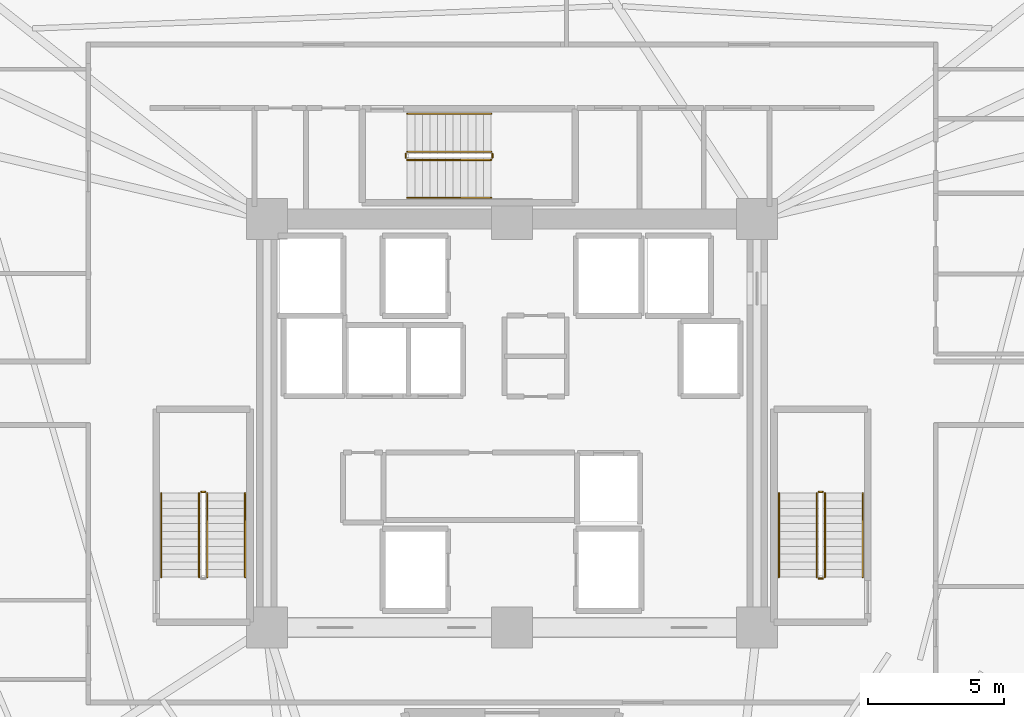
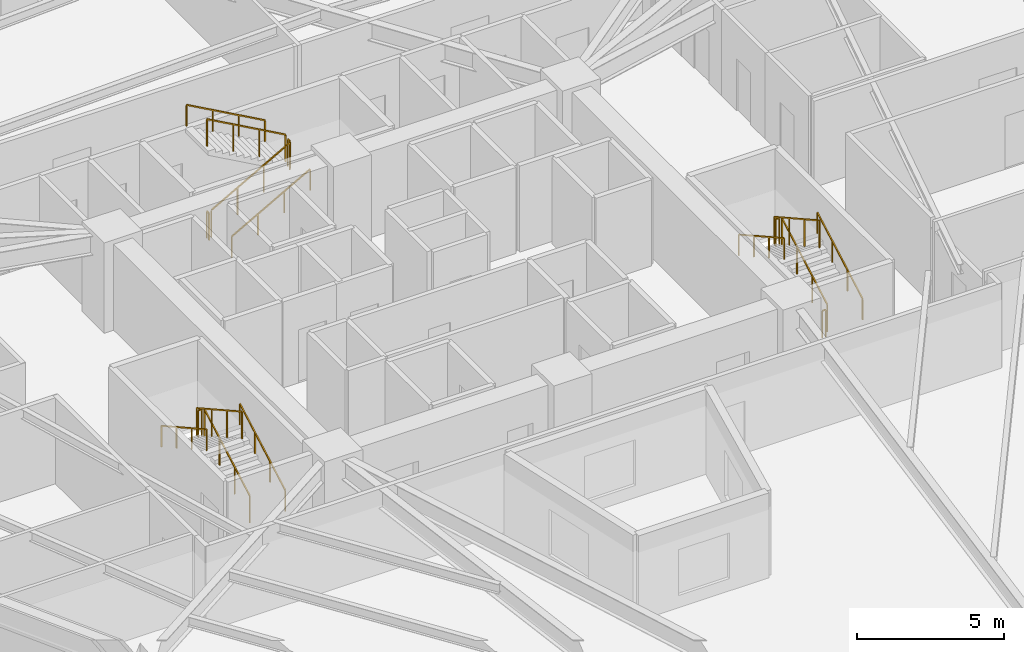
# One storey, part 10 of 10: 17 railings.
"""IFC4 building model written with IfcOpenShell, lengths in metres."""

from ifc_helpers import new_model, si_unit, direction, frame, origin, origin_2d, place, context, subcontext, project, spatial, rectangle, extrude, material, type_object, element, save


model = new_model("IFC4")

# Units and contexts
model_context = context("Model", 3, precision=1e-05, world=origin(), true_north=direction((0.0, 1.0)))
body_context = subcontext(model_context, "Body", "Model", "MODEL_VIEW")
ifc_project = project(units=[si_unit("LENGTHUNIT", "METRE"), si_unit("AREAUNIT", "SQUARE_METRE"), si_unit("VOLUMEUNIT", "CUBIC_METRE"), si_unit("PLANEANGLEUNIT", "RADIAN"), si_unit("MASSUNIT", "GRAM", prefix="KILO")], contexts=[model_context])

# Site, building, storey
site_placement = place(None, origin())
site = spatial("IfcSite", under=ifc_project, at=site_placement, CompositionType="ELEMENT")
building_placement = place(site_placement, origin())
building = spatial("IfcBuilding", under=site, at=building_placement, Name="Liaohun Quay Tower", CompositionType="ELEMENT")
storey_placement = place(building_placement, frame((0.0, 0.0, 166.5)))
storey = spatial("IfcBuildingStorey", under=building, at=storey_placement, Name="L43", CompositionType="ELEMENT", Elevation=166.5)

# Railings
ifc_material_1 = material(Name="Painted tubular steel", Category="steel")
railing_type_1 = type_object("IfcRailingType", Name="RLG-GUARD-STR", PredefinedType="GUARDRAIL", material=ifc_material_1)
railing_1_placement = place(storey_placement, frame((48.81005859375, 48.35009765625, 0.15625)))
element("IfcRailing", 1, at=railing_1_placement, inside=storey, type_object=railing_type_1, Name="L43 ST-1 stair guard 1", PredefinedType="GUARDRAIL", context=body_context, shape_type="SweptSolid", body=[
    extrude(rectangle(XDim=0.048095703125, YDim=0.048095703125, at=origin_2d()), frame((0.0, 0.0, 1.1259765625), z_axis=(0.0, 0.873225103656, 0.487317061414), x_axis=(-1.0, 0.0, 0.0)), (0.0, 0.0, 1.0), 3.52685546875),
    extrude(rectangle(XDim=0.0419921875, YDim=0.0419921875, at=origin_2d()), origin(), (0.0, 0.0, 1.0), 1.101806640625),
    extrude(rectangle(XDim=0.0419921875, YDim=0.0419921875, at=origin_2d()), frame((0.0, 1.026611328125, 0.572998046875)), (0.0, 0.0, 1.0), 1.101806640625),
    extrude(rectangle(XDim=0.0419921875, YDim=0.0419921875, at=origin_2d()), frame((0.0, 2.05322265625, 1.145751953125)), (0.0, 0.0, 1.0), 1.101806640625),
    extrude(rectangle(XDim=0.0419921875, YDim=0.0419921875, at=origin_2d()), frame((0.0, 3.079833984375, 1.71875)), (0.0, 0.0, 1.0), 1.101806640625),
])
railing_2_placement = place(storey_placement, frame((48.72998046875, 51.47998046875, 1.875)))
element("IfcRailing", 2, at=railing_2_placement, inside=storey, type_object=railing_type_1, Name="L43 ST-1 stair guard 2", PredefinedType="GUARDRAIL", context=body_context, shape_type="SweptSolid", body=[
    extrude(rectangle(XDim=0.048095703125, YDim=0.048095703125, at=origin_2d()), frame((0.0, 0.0, 1.1259765625), z_axis=(-1.0, 0.0, 0.0), x_axis=(0.0, -1.0, 0.0)), (0.0, 0.0, 1.0), 0.139892578125),
    extrude(rectangle(XDim=0.0419921875, YDim=0.0419921875, at=origin_2d()), origin(), (0.0, 0.0, 1.0), 1.101806640625),
    extrude(rectangle(XDim=0.0419921875, YDim=0.0419921875, at=origin_2d()), frame((-0.139892578125, 0.0, 0.0)), (0.0, 0.0, 1.0), 1.101806640625),
])
railing_3_placement = place(storey_placement, frame((48.510009765625, 51.429931640625, 2.03125)))
element("IfcRailing", 3, at=railing_3_placement, inside=storey, type_object=railing_type_1, Name="L43 ST-1 stair guard 3", PredefinedType="GUARDRAIL", context=body_context, shape_type="SweptSolid", body=[
    extrude(rectangle(XDim=0.048095703125, YDim=0.048095703125, at=origin_2d()), frame((0.0, 0.0, 1.1259765625), z_axis=(0.0, -0.873225103656, 0.487317061414), x_axis=(1.0, 0.0, 0.0)), (0.0, 0.0, 1.0), 3.52685546875),
    extrude(rectangle(XDim=0.0419921875, YDim=0.0419921875, at=origin_2d()), origin(), (0.0, 0.0, 1.0), 1.101806640625),
    extrude(rectangle(XDim=0.0419921875, YDim=0.0419921875, at=origin_2d()), frame((0.0, -1.026611328125, 0.572998046875)), (0.0, 0.0, 1.0), 1.101806640625),
    extrude(rectangle(XDim=0.0419921875, YDim=0.0419921875, at=origin_2d()), frame((0.0, -2.05322265625, 1.145751953125)), (0.0, 0.0, 1.0), 1.101806640625),
    extrude(rectangle(XDim=0.0419921875, YDim=0.0419921875, at=origin_2d()), frame((0.0, -3.079833984375, 1.71875)), (0.0, 0.0, 1.0), 1.101806640625),
])
railing_4_placement = place(storey_placement, frame((71.489990234375, 48.35009765625, 0.15625)))
element("IfcRailing", 4, at=railing_4_placement, inside=storey, type_object=railing_type_1, Name="L43 ST-2 stair guard 1", PredefinedType="GUARDRAIL", context=body_context, shape_type="SweptSolid", body=[
    extrude(rectangle(XDim=0.048095703125, YDim=0.048095703125, at=origin_2d()), frame((0.0, 0.0, 1.1259765625), z_axis=(0.0, 0.873225103656, 0.487317061414), x_axis=(-1.0, 0.0, 0.0)), (0.0, 0.0, 1.0), 3.52685546875),
    extrude(rectangle(XDim=0.0419921875, YDim=0.0419921875, at=origin_2d()), origin(), (0.0, 0.0, 1.0), 1.101806640625),
    extrude(rectangle(XDim=0.0419921875, YDim=0.0419921875, at=origin_2d()), frame((0.0, 1.026611328125, 0.572998046875)), (0.0, 0.0, 1.0), 1.101806640625),
    extrude(rectangle(XDim=0.0419921875, YDim=0.0419921875, at=origin_2d()), frame((0.0, 2.05322265625, 1.145751953125)), (0.0, 0.0, 1.0), 1.101806640625),
    extrude(rectangle(XDim=0.0419921875, YDim=0.0419921875, at=origin_2d()), frame((0.0, 3.079833984375, 1.71875)), (0.0, 0.0, 1.0), 1.101806640625),
])
railing_5_placement = place(storey_placement, frame((71.409912109375, 51.47998046875, 1.875)))
element("IfcRailing", 5, at=railing_5_placement, inside=storey, type_object=railing_type_1, Name="L43 ST-2 stair guard 2", PredefinedType="GUARDRAIL", context=body_context, shape_type="SweptSolid", body=[
    extrude(rectangle(XDim=0.048095703125, YDim=0.048095703125, at=origin_2d()), frame((0.0, 0.0, 1.1259765625), z_axis=(-1.0, 0.0, 0.0), x_axis=(0.0, -1.0, 0.0)), (0.0, 0.0, 1.0), 0.139892578125),
    extrude(rectangle(XDim=0.0419921875, YDim=0.0419921875, at=origin_2d()), origin(), (0.0, 0.0, 1.0), 1.101806640625),
    extrude(rectangle(XDim=0.0419921875, YDim=0.0419921875, at=origin_2d()), frame((-0.139892578125, 0.0, 0.0)), (0.0, 0.0, 1.0), 1.101806640625),
])
railing_6_placement = place(storey_placement, frame((71.18994140625, 51.429931640625, 2.03125)))
element("IfcRailing", 6, at=railing_6_placement, inside=storey, type_object=railing_type_1, Name="L43 ST-2 stair guard 3", PredefinedType="GUARDRAIL", context=body_context, shape_type="SweptSolid", body=[
    extrude(rectangle(XDim=0.048095703125, YDim=0.048095703125, at=origin_2d()), frame((0.0, 0.0, 1.1259765625), z_axis=(0.0, -0.873225103656, 0.487317061414), x_axis=(1.0, 0.0, 0.0)), (0.0, 0.0, 1.0), 3.52685546875),
    extrude(rectangle(XDim=0.0419921875, YDim=0.0419921875, at=origin_2d()), origin(), (0.0, 0.0, 1.0), 1.101806640625),
    extrude(rectangle(XDim=0.0419921875, YDim=0.0419921875, at=origin_2d()), frame((0.0, -1.026611328125, 0.572998046875)), (0.0, 0.0, 1.0), 1.101806640625),
    extrude(rectangle(XDim=0.0419921875, YDim=0.0419921875, at=origin_2d()), frame((0.0, -2.05322265625, 1.145751953125)), (0.0, 0.0, 1.0), 1.101806640625),
    extrude(rectangle(XDim=0.0419921875, YDim=0.0419921875, at=origin_2d()), frame((0.0, -3.079833984375, 1.71875)), (0.0, 0.0, 1.0), 1.101806640625),
])
railing_7_placement = place(storey_placement, frame((71.409912109375, 48.300048828125, 0.0)))
element("IfcRailing", 7, at=railing_7_placement, inside=storey, type_object=railing_type_1, Name="L43 ST-2 stair guard 4", PredefinedType="GUARDRAIL", context=body_context, shape_type="SweptSolid", body=[
    extrude(rectangle(XDim=0.048095703125, YDim=0.048095703125, at=origin_2d()), frame((0.0, 0.0, 1.1259765625), z_axis=(-1.0, 0.0, 0.0), x_axis=(0.0, -1.0, 0.0)), (0.0, 0.0, 1.0), 0.139892578125),
    extrude(rectangle(XDim=0.0419921875, YDim=0.0419921875, at=origin_2d()), origin(), (0.0, 0.0, 1.0), 1.101806640625),
    extrude(rectangle(XDim=0.0419921875, YDim=0.0419921875, at=origin_2d()), frame((-0.139892578125, 0.0, 0.0)), (0.0, 0.0, 1.0), 1.101806640625),
])
railing_8_placement = place(storey_placement, frame((56.14990234375, 63.669921875, 0.15625)))
element("IfcRailing", 8, at=railing_8_placement, inside=storey, type_object=railing_type_1, Name="L43 ST-3 stair guard 1", PredefinedType="GUARDRAIL", context=body_context, shape_type="SweptSolid", body=[
    extrude(rectangle(XDim=0.048095703125, YDim=0.048095703125, at=origin_2d()), frame((0.0, 0.0, 1.1259765625), z_axis=(0.873241540666, 0.0, 0.487287606713), x_axis=(0.0, 1.0, 0.0)), (0.0, 0.0, 1.0), 3.527099609375),
    extrude(rectangle(XDim=0.0419921875, YDim=0.0419921875, at=origin_2d()), origin(), (0.0, 0.0, 1.0), 1.101806640625),
    extrude(rectangle(XDim=0.0419921875, YDim=0.0419921875, at=origin_2d()), frame((1.026611328125, 0.0, 0.572998046875)), (0.0, 0.0, 1.0), 1.101806640625),
    extrude(rectangle(XDim=0.0419921875, YDim=0.0419921875, at=origin_2d()), frame((2.053466796875, 0.0, 1.145751953125)), (0.0, 0.0, 1.0), 1.101806640625),
    extrude(rectangle(XDim=0.0419921875, YDim=0.0419921875, at=origin_2d()), frame((3.080078125, 0.0, 1.71875)), (0.0, 0.0, 1.0), 1.101806640625),
])
railing_9_placement = place(storey_placement, frame((59.280029296875, 63.75, 1.875)))
element("IfcRailing", 9, at=railing_9_placement, inside=storey, type_object=railing_type_1, Name="L43 ST-3 stair guard 2", PredefinedType="GUARDRAIL", context=body_context, shape_type="SweptSolid", body=[
    extrude(rectangle(XDim=0.048095703125, YDim=0.048095703125, at=origin_2d()), frame((0.0, 0.0, 1.1259765625), z_axis=(0.0, 1.0, 0.0), x_axis=(-1.0, 0.0, 0.0)), (0.0, 0.0, 1.0), 0.139892578125),
    extrude(rectangle(XDim=0.0419921875, YDim=0.0419921875, at=origin_2d()), origin(), (0.0, 0.0, 1.0), 1.101806640625),
    extrude(rectangle(XDim=0.0419921875, YDim=0.0419921875, at=origin_2d()), frame((0.0, 0.139892578125, 0.0)), (0.0, 0.0, 1.0), 1.101806640625),
])
railing_10_placement = place(storey_placement, frame((59.22998046875, 63.969970703125, 2.03125)))
element("IfcRailing", 10, at=railing_10_placement, inside=storey, type_object=railing_type_1, Name="L43 ST-3 stair guard 3", PredefinedType="GUARDRAIL", context=body_context, shape_type="SweptSolid", body=[
    extrude(rectangle(XDim=0.048095703125, YDim=0.048095703125, at=origin_2d()), frame((0.0, 0.0, 1.1259765625), z_axis=(-0.873241540666, 0.0, 0.487287606713), x_axis=(0.0, -1.0, 0.0)), (0.0, 0.0, 1.0), 3.527099609375),
    extrude(rectangle(XDim=0.0419921875, YDim=0.0419921875, at=origin_2d()), origin(), (0.0, 0.0, 1.0), 1.101806640625),
    extrude(rectangle(XDim=0.0419921875, YDim=0.0419921875, at=origin_2d()), frame((-1.026611328125, 0.0, 0.572998046875)), (0.0, 0.0, 1.0), 1.101806640625),
    extrude(rectangle(XDim=0.0419921875, YDim=0.0419921875, at=origin_2d()), frame((-2.053466796875, 0.0, 1.145751953125)), (0.0, 0.0, 1.0), 1.101806640625),
    extrude(rectangle(XDim=0.0419921875, YDim=0.0419921875, at=origin_2d()), frame((-3.080078125, 0.0, 1.71875)), (0.0, 0.0, 1.0), 1.101806640625),
])
railing_11_placement = place(storey_placement, frame((56.10009765625, 63.75, 0.0)))
element("IfcRailing", 11, at=railing_11_placement, inside=storey, type_object=railing_type_1, Name="L43 ST-3 stair guard 4", PredefinedType="GUARDRAIL", context=body_context, shape_type="SweptSolid", body=[
    extrude(rectangle(XDim=0.048095703125, YDim=0.048095703125, at=origin_2d()), frame((0.0, 0.0, 1.1259765625), z_axis=(0.0, 1.0, 0.0), x_axis=(-1.0, 0.0, 0.0)), (0.0, 0.0, 1.0), 0.139892578125),
    extrude(rectangle(XDim=0.0419921875, YDim=0.0419921875, at=origin_2d()), origin(), (0.0, 0.0, 1.0), 1.101806640625),
    extrude(rectangle(XDim=0.0419921875, YDim=0.0419921875, at=origin_2d()), frame((0.0, 0.139892578125, 0.0)), (0.0, 0.0, 1.0), 1.101806640625),
])
ifc_material_2 = material(Name="Brushed stainless steel", Category="steel")
railing_type_2 = type_object("IfcRailingType", Name="RLG-HND-STR", PredefinedType="HANDRAIL", material=ifc_material_2)
railing_12_placement = place(storey_placement, frame((50.199951171875, 48.35009765625, 0.15625)))
element("IfcRailing", 12, at=railing_12_placement, inside=storey, type_object=railing_type_2, Name="L43 ST-1 stair handrail 1", PredefinedType="HANDRAIL", context=body_context, shape_type="SweptSolid", body=[
    extrude(rectangle(XDim=0.048095703125, YDim=0.048095703125, at=origin_2d()), frame((0.0, 0.0, 0.8759765625), z_axis=(0.0, 0.873225103656, 0.487317061414), x_axis=(-1.0, 0.0, 0.0)), (0.0, 0.0, 1.0), 3.52685546875),
    extrude(rectangle(XDim=0.0419921875, YDim=0.0419921875, at=origin_2d()), origin(), (0.0, 0.0, 1.0), 0.851806640625),
    extrude(rectangle(XDim=0.0419921875, YDim=0.0419921875, at=origin_2d()), frame((0.0, 1.026611328125, 0.572998046875)), (0.0, 0.0, 1.0), 0.851806640625),
    extrude(rectangle(XDim=0.0419921875, YDim=0.0419921875, at=origin_2d()), frame((0.0, 2.05322265625, 1.145751953125)), (0.0, 0.0, 1.0), 0.851806640625),
    extrude(rectangle(XDim=0.0419921875, YDim=0.0419921875, at=origin_2d()), frame((0.0, 3.079833984375, 1.71875)), (0.0, 0.0, 1.0), 0.851806640625),
])
railing_13_placement = place(storey_placement, frame((47.1201171875, 51.429931640625, 2.03125)))
element("IfcRailing", 13, at=railing_13_placement, inside=storey, type_object=railing_type_2, Name="L43 ST-1 stair handrail 2", PredefinedType="HANDRAIL", context=body_context, shape_type="SweptSolid", body=[
    extrude(rectangle(XDim=0.048095703125, YDim=0.048095703125, at=origin_2d()), frame((0.0, 0.0, 0.8759765625), z_axis=(0.0, -0.873225103656, 0.487317061414), x_axis=(1.0, 0.0, 0.0)), (0.0, 0.0, 1.0), 3.52685546875),
    extrude(rectangle(XDim=0.0419921875, YDim=0.0419921875, at=origin_2d()), origin(), (0.0, 0.0, 1.0), 0.851806640625),
    extrude(rectangle(XDim=0.0419921875, YDim=0.0419921875, at=origin_2d()), frame((0.0, -1.026611328125, 0.572998046875)), (0.0, 0.0, 1.0), 0.851806640625),
    extrude(rectangle(XDim=0.0419921875, YDim=0.0419921875, at=origin_2d()), frame((0.0, -2.05322265625, 1.145751953125)), (0.0, 0.0, 1.0), 0.851806640625),
    extrude(rectangle(XDim=0.0419921875, YDim=0.0419921875, at=origin_2d()), frame((0.0, -3.079833984375, 1.71875)), (0.0, 0.0, 1.0), 0.851806640625),
])
railing_14_placement = place(storey_placement, frame((72.8798828125, 48.35009765625, 0.15625)))
element("IfcRailing", 14, at=railing_14_placement, inside=storey, type_object=railing_type_2, Name="L43 ST-2 stair handrail 1", PredefinedType="HANDRAIL", context=body_context, shape_type="SweptSolid", body=[
    extrude(rectangle(XDim=0.048095703125, YDim=0.048095703125, at=origin_2d()), frame((0.0, 0.0, 0.8759765625), z_axis=(0.0, 0.873225103656, 0.487317061414), x_axis=(-1.0, 0.0, 0.0)), (0.0, 0.0, 1.0), 3.52685546875),
    extrude(rectangle(XDim=0.0419921875, YDim=0.0419921875, at=origin_2d()), origin(), (0.0, 0.0, 1.0), 0.851806640625),
    extrude(rectangle(XDim=0.0419921875, YDim=0.0419921875, at=origin_2d()), frame((0.0, 1.026611328125, 0.572998046875)), (0.0, 0.0, 1.0), 0.851806640625),
    extrude(rectangle(XDim=0.0419921875, YDim=0.0419921875, at=origin_2d()), frame((0.0, 2.05322265625, 1.145751953125)), (0.0, 0.0, 1.0), 0.851806640625),
    extrude(rectangle(XDim=0.0419921875, YDim=0.0419921875, at=origin_2d()), frame((0.0, 3.079833984375, 1.71875)), (0.0, 0.0, 1.0), 0.851806640625),
])
railing_15_placement = place(storey_placement, frame((69.800048828125, 51.429931640625, 2.03125)))
element("IfcRailing", 15, at=railing_15_placement, inside=storey, type_object=railing_type_2, Name="L43 ST-2 stair handrail 2", PredefinedType="HANDRAIL", context=body_context, shape_type="SweptSolid", body=[
    extrude(rectangle(XDim=0.048095703125, YDim=0.048095703125, at=origin_2d()), frame((0.0, 0.0, 0.8759765625), z_axis=(0.0, -0.873225103656, 0.487317061414), x_axis=(1.0, 0.0, 0.0)), (0.0, 0.0, 1.0), 3.52685546875),
    extrude(rectangle(XDim=0.0419921875, YDim=0.0419921875, at=origin_2d()), origin(), (0.0, 0.0, 1.0), 0.851806640625),
    extrude(rectangle(XDim=0.0419921875, YDim=0.0419921875, at=origin_2d()), frame((0.0, -1.026611328125, 0.572998046875)), (0.0, 0.0, 1.0), 0.851806640625),
    extrude(rectangle(XDim=0.0419921875, YDim=0.0419921875, at=origin_2d()), frame((0.0, -2.05322265625, 1.145751953125)), (0.0, 0.0, 1.0), 0.851806640625),
    extrude(rectangle(XDim=0.0419921875, YDim=0.0419921875, at=origin_2d()), frame((0.0, -3.079833984375, 1.71875)), (0.0, 0.0, 1.0), 0.851806640625),
])
railing_16_placement = place(storey_placement, frame((56.14990234375, 62.280029296875, 0.15625)))
element("IfcRailing", 16, at=railing_16_placement, inside=storey, type_object=railing_type_2, Name="L43 ST-3 stair handrail 1", PredefinedType="HANDRAIL", context=body_context, shape_type="SweptSolid", body=[
    extrude(rectangle(XDim=0.048095703125, YDim=0.048095703125, at=origin_2d()), frame((0.0, 0.0, 0.8759765625), z_axis=(0.873241540666, 0.0, 0.487287606713), x_axis=(0.0, 1.0, 0.0)), (0.0, 0.0, 1.0), 3.527099609375),
    extrude(rectangle(XDim=0.0419921875, YDim=0.0419921875, at=origin_2d()), origin(), (0.0, 0.0, 1.0), 0.851806640625),
    extrude(rectangle(XDim=0.0419921875, YDim=0.0419921875, at=origin_2d()), frame((1.026611328125, 0.0, 0.572998046875)), (0.0, 0.0, 1.0), 0.851806640625),
    extrude(rectangle(XDim=0.0419921875, YDim=0.0419921875, at=origin_2d()), frame((2.053466796875, 0.0, 1.145751953125)), (0.0, 0.0, 1.0), 0.851806640625),
    extrude(rectangle(XDim=0.0419921875, YDim=0.0419921875, at=origin_2d()), frame((3.080078125, 0.0, 1.71875)), (0.0, 0.0, 1.0), 0.851806640625),
])
railing_17_placement = place(storey_placement, frame((59.22998046875, 65.360107421875, 2.03125)))
element("IfcRailing", 17, at=railing_17_placement, inside=storey, type_object=railing_type_2, Name="L43 ST-3 stair handrail 2", PredefinedType="HANDRAIL", context=body_context, shape_type="SweptSolid", body=[
    extrude(rectangle(XDim=0.048095703125, YDim=0.048095703125, at=origin_2d()), frame((0.0, 0.0, 0.8759765625), z_axis=(-0.873241540666, 0.0, 0.487287606713), x_axis=(0.0, -1.0, 0.0)), (0.0, 0.0, 1.0), 3.527099609375),
    extrude(rectangle(XDim=0.0419921875, YDim=0.0419921875, at=origin_2d()), origin(), (0.0, 0.0, 1.0), 0.851806640625),
    extrude(rectangle(XDim=0.0419921875, YDim=0.0419921875, at=origin_2d()), frame((-1.026611328125, 0.0, 0.572998046875)), (0.0, 0.0, 1.0), 0.851806640625),
    extrude(rectangle(XDim=0.0419921875, YDim=0.0419921875, at=origin_2d()), frame((-2.053466796875, 0.0, 1.145751953125)), (0.0, 0.0, 1.0), 0.851806640625),
    extrude(rectangle(XDim=0.0419921875, YDim=0.0419921875, at=origin_2d()), frame((-3.080078125, 0.0, 1.71875)), (0.0, 0.0, 1.0), 0.851806640625),
])

save(model, "model.ifc")
